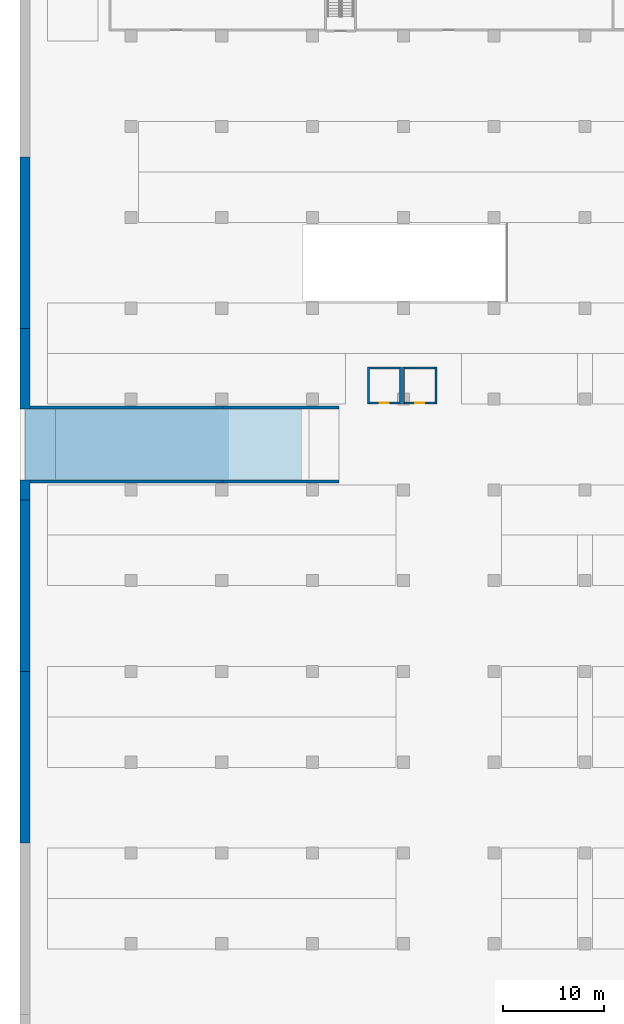
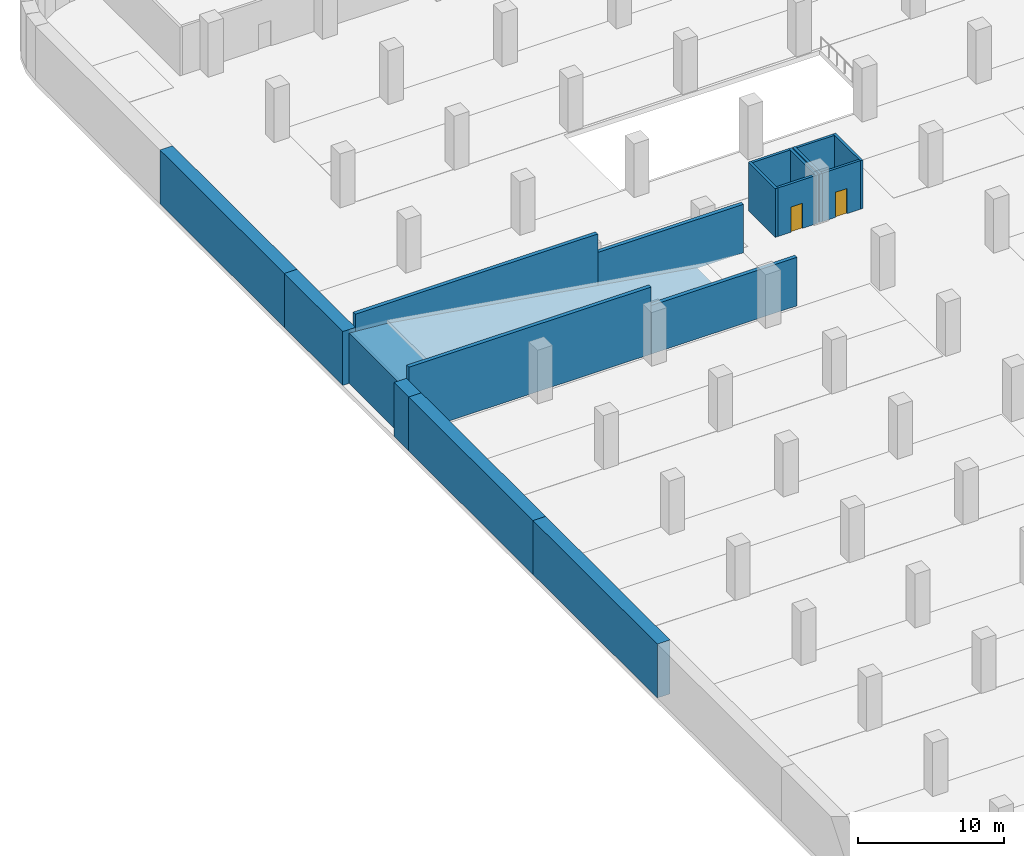
# One storey, part 10 of 34: 18 walls, 2 doors, 2 openings.
"""IFC4 building model written with IfcOpenShell, lengths in metres."""

from ifc_helpers import new_model, si_unit, direction, frame, frame_2d, origin, place, context, subcontext, project, spatial, polyline, rectangle, outline, extrude, material, layer, layer_set, type_object, element, fill, save


model = new_model("IFC4")

# Units and contexts
model_context = context("Model", 3, precision=1e-05, world=origin(), true_north=direction((0.0, 1.0)))
body_context = subcontext(model_context, "Body", "Model", "MODEL_VIEW")
ifc_project = project(units=[si_unit("LENGTHUNIT", "METRE"), si_unit("AREAUNIT", "SQUARE_METRE"), si_unit("VOLUMEUNIT", "CUBIC_METRE"), si_unit("PLANEANGLEUNIT", "RADIAN"), si_unit("MASSUNIT", "GRAM", prefix="KILO")], contexts=[model_context])

# Site, building, storey
site_placement = place(None, origin())
site = spatial("IfcSite", under=ifc_project, at=site_placement, CompositionType="ELEMENT")
building_placement = place(site_placement, origin())
building = spatial("IfcBuilding", under=site, at=building_placement, Name="Ogive Gate Towers", CompositionType="ELEMENT")
storey_placement = place(building_placement, frame((0.0, 0.0, -4.5)))
storey = spatial("IfcBuildingStorey", under=building, at=storey_placement, Name="B1", CompositionType="ELEMENT", Elevation=-4.5)

# Walls
ifc_material_1 = material(Name="Blockwork", Category="masonry")
ifc_layer_1 = layer(ifc_material_1, 0.199951171875)
ifc_layer_set_1 = layer_set([ifc_layer_1], Name="Plant room wall 200")
wall_type_1 = type_object("IfcWallType", Name="Plant room wall 200", PredefinedType="PARTITIONING", material=ifc_layer_set_1)
for number, where, z_axis, x_axis, name in (
    (1, (-93.47509765625, 26.5, 0.0), (0.0, 0.0, 1.0), (0.0, 1.0, 0.0), "Plant room wall B1-004"),
    (2, (-90.27490234375, 26.5, 0.0), (0.0, 0.0, 1.0), (0.0, 1.0, 0.0), "Plant room wall B1-005"),
    (3, (-89.97509765625, 26.5, 0.0), (0.0, 0.0, 1.0), (0.0, 1.0, 0.0), "Plant room wall B1-006"),
    (4, (-86.77490234375, 26.5, 0.0), (0.0, 0.0, 1.0), (0.0, 1.0, 0.0), "Plant room wall B1-007"),
):
    element("IfcWall", number, at=place(storey_placement, frame(where, z_axis=z_axis, x_axis=x_axis)), inside=storey, type_object=wall_type_1, Name=name, PredefinedType="PARTITIONING", context=body_context, shape_type="SweptSolid", body=[
        extrude(rectangle(XDim=3.699951171875, YDim=0.199951171875, at=frame_2d((1.85009765625, 0.0))), origin(), (0.0, 0.0, 1.0), 4.050048828125),
    ])

# Wall, opening, door
wall_1_placement = place(storey_placement, frame((-93.375, 26.60009765625, 0.0), z_axis=(0.0, 0.0, 1.0), x_axis=(1.0, 0.0, 0.0)))
wall_1 = element("IfcWall", 5, at=wall_1_placement, inside=storey, type_object=wall_type_1, Name="Plant room wall B1-027", PredefinedType="PARTITIONING", context=body_context, shape_type="SweptSolid", body=[
    extrude(rectangle(XDim=3.0, YDim=0.199951171875, at=frame_2d((1.5, 0.0))), origin(), (0.0, 0.0, 1.0), 4.050048828125),
])
opening_1_placement = place(wall_1_placement, frame((1.050048828125, 0.0, 0.0)))
opening_1 = element("IfcOpeningElement", 6, at=opening_1_placement, cuts=wall_1, Name="Opening CPD111", PredefinedType="OPENING", context=body_context, shape_type="SweptSolid", body=[
    extrude(rectangle(XDim=0.89990234375, YDim=2.10009765625, at=frame_2d((0.449951171875, 1.050048828125))), frame((0.0, 0.10986328125, 0.0), z_axis=(0.0, -1.0, 0.0), x_axis=(1.0, 0.0, 0.0)), (0.0, 0.0, 1.0), 0.219970703125),
])
ifc_material_2 = material(Name="Painted steel door", Category="steel")
door_type = type_object("IfcDoorType", Name="Fire door 900 x 2100", OperationType="SINGLE_SWING_LEFT", PredefinedType="DOOR", material=ifc_material_2)
door_1_placement = place(opening_1_placement, origin())
door_1 = element("IfcDoor", 7, at=door_1_placement, inside=storey, type_object=door_type, Name="Door CPD111", OperationType="SINGLE_SWING_LEFT", OverallHeight=2.10009765625, OverallWidth=0.89990234375, PredefinedType="DOOR", context=body_context, shape_type="SweptSolid", body=[
    extrude(rectangle(XDim=0.89990234375, YDim=2.10009765625, at=frame_2d((0.449951171875, 1.050048828125))), frame((0.0, 0.02490234375, 0.0), z_axis=(0.0, -1.0, 0.0), x_axis=(1.0, 0.0, 0.0)), (0.0, 0.0, 1.0), 0.050048828125),
])
fill(opening_1, door_1)

wall_2_placement = place(storey_placement, frame((-89.875, 26.60009765625, 0.0), z_axis=(0.0, 0.0, 1.0), x_axis=(1.0, 0.0, 0.0)))
wall_2 = element("IfcWall", 8, at=wall_2_placement, inside=storey, type_object=wall_type_1, Name="Plant room wall B1-028", PredefinedType="PARTITIONING", context=body_context, shape_type="SweptSolid", body=[
    extrude(rectangle(XDim=3.0, YDim=0.199951171875, at=frame_2d((1.5, 0.0))), origin(), (0.0, 0.0, 1.0), 4.050048828125),
])
opening_2_placement = place(wall_2_placement, frame((1.050048828125, 0.0, 0.0)))
opening_2 = element("IfcOpeningElement", 9, at=opening_2_placement, cuts=wall_2, Name="Opening CPD113", PredefinedType="OPENING", context=body_context, shape_type="SweptSolid", body=[
    extrude(rectangle(XDim=0.89990234375, YDim=2.10009765625, at=frame_2d((0.449951171875, 1.050048828125))), frame((0.0, 0.10986328125, 0.0), z_axis=(0.0, -1.0, 0.0), x_axis=(1.0, 0.0, 0.0)), (0.0, 0.0, 1.0), 0.219970703125),
])
door_2_placement = place(opening_2_placement, origin())
door_2 = element("IfcDoor", 10, at=door_2_placement, inside=storey, type_object=door_type, Name="Door CPD113", OperationType="SINGLE_SWING_LEFT", OverallHeight=2.10009765625, OverallWidth=0.89990234375, PredefinedType="DOOR", context=body_context, shape_type="SweptSolid", body=[
    extrude(rectangle(XDim=0.89990234375, YDim=2.10009765625, at=frame_2d((0.449951171875, 1.050048828125))), frame((0.0, 0.02490234375, 0.0), z_axis=(0.0, -1.0, 0.0), x_axis=(1.0, 0.0, 0.0)), (0.0, 0.0, 1.0), 0.050048828125),
])
fill(opening_2, door_2)

# Walls
for number, where, z_axis, x_axis, name in (
    (11, (-93.375, 30.10009765625, 0.0), (0.0, 0.0, 1.0), (1.0, 0.0, 0.0), "Plant room wall B1-029"),
    (12, (-89.875, 30.10009765625, 0.0), (0.0, 0.0, 1.0), (1.0, 0.0, 0.0), "Plant room wall B1-030"),
):
    element("IfcWall", number, at=place(storey_placement, frame(where, z_axis=z_axis, x_axis=x_axis)), inside=storey, type_object=wall_type_1, Name=name, PredefinedType="PARTITIONING", context=body_context, shape_type="SweptSolid", body=[
        extrude(rectangle(XDim=3.0, YDim=0.199951171875, at=frame_2d((1.5, 0.0))), origin(), (0.0, 0.0, 1.0), 4.050048828125),
    ])
ifc_material_3 = material(Name="Concrete C32/40", Category="concrete")
ifc_layer_2 = layer(ifc_material_3, 7.0)
ifc_layer_set_2 = layer_set([ifc_layer_2], Name="Ramp bed 7000")
wall_type_2 = type_object("IfcWallType", Name="Ramp bed 7000", PredefinedType="SOLIDWALL", material=ifc_layer_set_2)
wall_3_placement = place(storey_placement, frame((-100.0625, 22.5, 0.0), z_axis=(0.0, 0.0, 1.0), x_axis=(-1.0, 0.0, 0.0)))
element("IfcWall", 13, at=wall_3_placement, inside=storey, type_object=wall_type_2, Name="Grade car ramp west bed", PredefinedType="SOLIDWALL", context=body_context, shape_type="SweptSolid", body=[
    extrude(outline(polyline([(0.0, 0.0), (27.4375, 0.0), (27.4375, 4.199951171875), (24.4375, 3.9599609375), (0.0, 0.050048828125), (0.0, 0.0)])), frame((0.0, 3.5, 0.0), z_axis=(0.0, -1.0, 0.0), x_axis=(1.0, 0.0, 0.0)), (0.0, 0.0, 1.0), 7.0),
])
ifc_layer_3 = layer(ifc_material_3, 0.300048828125)
ifc_layer_set_3 = layer_set([ifc_layer_3], Name="Ramp wall 300")
wall_type_3 = type_object("IfcWallType", Name="Ramp wall 300", PredefinedType="SOLIDWALL", material=ifc_layer_set_3)
for number, where, z_axis, x_axis, name in (
    (14, (-96.375, 18.85009765625, 0.0), (0.0, 0.0, 1.0), (-1.0, 0.0, 0.0), "Ramp wall 05"),
    (15, (-96.375, 26.14990234375, 0.0), (0.0, 0.0, 1.0), (-1.0, 0.0, 0.0), "Ramp wall 06"),
):
    element("IfcWall", number, at=place(storey_placement, frame(where, z_axis=z_axis, x_axis=x_axis)), inside=storey, type_object=wall_type_3, Name=name, PredefinedType="SOLIDWALL", context=body_context, shape_type="SweptSolid", body=[
        extrude(rectangle(XDim=11.5, YDim=0.300048828125, at=frame_2d((5.75, 0.0))), origin(), (0.0, 0.0, 1.0), 4.050048828125),
    ])
for number, where, z_axis, x_axis, name in (
    (16, (-107.875, 18.85009765625, 0.0), (0.0, 0.0, 1.0), (-1.0, 0.0, 0.0), "Ramp wall 07"),
    (17, (-107.875, 26.14990234375, 0.0), (0.0, 0.0, 1.0), (-1.0, 0.0, 0.0), "Ramp wall 08"),
):
    element("IfcWall", number, at=place(storey_placement, frame(where, z_axis=z_axis, x_axis=x_axis)), inside=storey, type_object=wall_type_3, Name=name, PredefinedType="SOLIDWALL", context=body_context, shape_type="SweptSolid", body=[
        extrude(rectangle(XDim=19.125, YDim=0.300048828125, at=frame_2d((9.5625, 0.0))), origin(), (0.0, 0.0, 1.0), 5.60009765625),
    ])
ifc_material_4 = material(Name="Concrete C40/50", Category="concrete")
ifc_layer_4 = layer(ifc_material_4, 1.0)
ifc_layer_set_4 = layer_set([ifc_layer_4], Name="Retaining wall 1000")
wall_type_4 = type_object("IfcWallType", Name="Retaining wall 1000", PredefinedType="SOLIDWALL", material=ifc_layer_set_4)
for number, where, z_axis, x_axis, name in (
    (18, (-127.5, -16.993896484375, 0.0), (0.0, 0.0, 1.0), (0.0, 1.0, 0.0), "BS/B1/SWL026"),
    (19, (-127.5, 0.0, 0.0), (0.0, 0.0, 1.0), (0.0, 1.0, 0.0), "BS/B1/SWL027"),
):
    element("IfcWall", number, at=place(storey_placement, frame(where, z_axis=z_axis, x_axis=x_axis)), inside=storey, type_object=wall_type_4, Name=name, PredefinedType="SOLIDWALL", context=body_context, shape_type="SweptSolid", body=[
        extrude(rectangle(XDim=16.993896484375, YDim=1.0, at=frame_2d((8.4970703125, 0.0))), origin(), (0.0, 0.0, 1.0), 4.5),
    ])
wall_4_placement = place(storey_placement, frame((-127.5, 16.993896484375, 0.0), z_axis=(0.0, 0.0, 1.0), x_axis=(0.0, 1.0, 0.0)))
element("IfcWall", 20, at=wall_4_placement, inside=storey, type_object=wall_type_4, Name="BS/B1/SWL028", PredefinedType="SOLIDWALL", context=body_context, shape_type="SweptSolid", body=[
    extrude(rectangle(XDim=2.006103515625, YDim=1.0, at=frame_2d((1.0029296875, 0.0))), origin(), (0.0, 0.0, 1.0), 4.5),
])
wall_5_placement = place(storey_placement, frame((-127.5, 26.0, 0.0), z_axis=(0.0, 0.0, 1.0), x_axis=(0.0, 1.0, 0.0)))
element("IfcWall", 21, at=wall_5_placement, inside=storey, type_object=wall_type_4, Name="BS/B1/SWL029", PredefinedType="SOLIDWALL", context=body_context, shape_type="SweptSolid", body=[
    extrude(rectangle(XDim=7.98779296875, YDim=1.0, at=frame_2d((3.993896484375, 0.0))), origin(), (0.0, 0.0, 1.0), 4.5),
])
wall_6_placement = place(storey_placement, frame((-127.5, 33.98779296875, 0.0), z_axis=(0.0, 0.0, 1.0), x_axis=(0.0, 1.0, 0.0)))
element("IfcWall", 22, at=wall_6_placement, inside=storey, type_object=wall_type_4, Name="BS/B1/SWL030", PredefinedType="SOLIDWALL", context=body_context, shape_type="SweptSolid", body=[
    extrude(rectangle(XDim=16.993896484375, YDim=1.0, at=frame_2d((8.4970703125, 0.0))), origin(), (0.0, 0.0, 1.0), 4.5),
])

save(model, "model.ifc")
